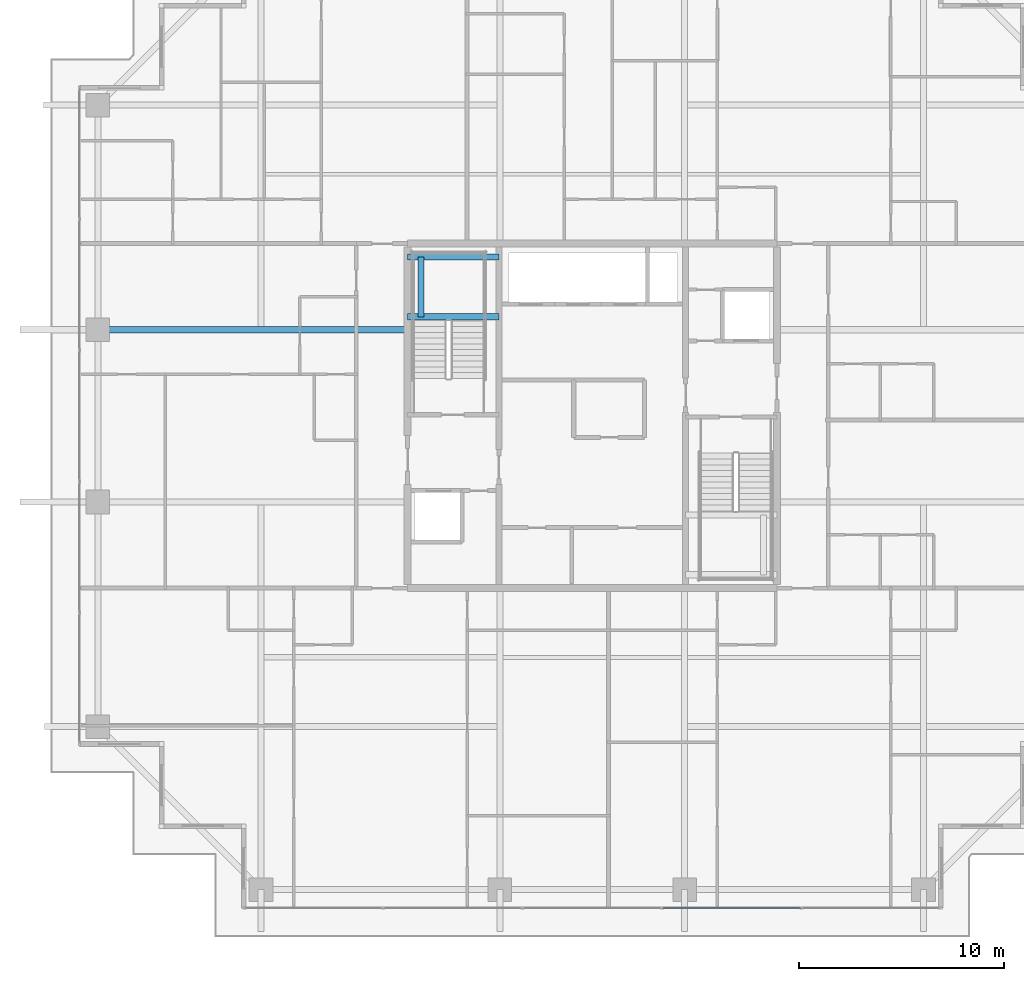
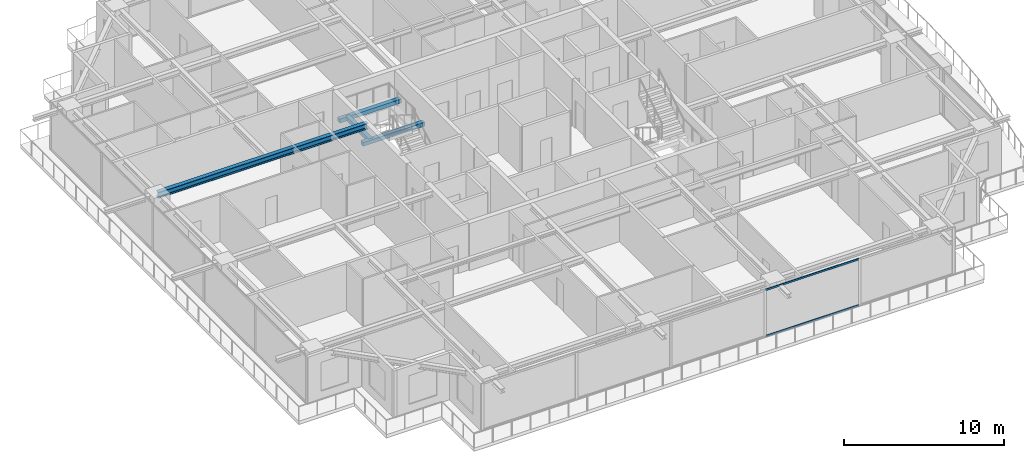
# One storey, part 10 of 37: 4 beams, 2 members, 1 element without a shape of its own.
"""IFC4 building model written with IfcOpenShell, lengths in metres."""

from ifc_helpers import new_model, si_unit, direction, frame, origin, origin_2d, place, context, subcontext, project, spatial, rectangle, hollow_rectangle, i_section, extrude, source, transform, mapped, material, layer, layer_set, material_profile, profile_set, type_object, element, aggregate, save


model = new_model("IFC4")

# Units and contexts
model_context = context("Model", 3, precision=1e-05, world=origin(), true_north=direction((0.0, 1.0)))
body_context = subcontext(model_context, "Body", "Model", "MODEL_VIEW")
ifc_project = project(units=[si_unit("LENGTHUNIT", "METRE"), si_unit("AREAUNIT", "SQUARE_METRE"), si_unit("VOLUMEUNIT", "CUBIC_METRE"), si_unit("PLANEANGLEUNIT", "RADIAN"), si_unit("MASSUNIT", "GRAM", prefix="KILO")], contexts=[model_context])

# Site, building, storey
site_placement = place(None, origin())
site = spatial("IfcSite", under=ifc_project, at=site_placement, CompositionType="ELEMENT")
building_placement = place(site_placement, origin())
building = spatial("IfcBuilding", under=site, at=building_placement, Name="Serunith Strait Residences", CompositionType="ELEMENT")
storey_placement = place(building_placement, frame((0.0, 0.0, 279.75)))
storey = spatial("IfcBuildingStorey", under=building, at=storey_placement, Name="L70", CompositionType="ELEMENT", Elevation=279.75)

# Beams
ifc_material_1 = material(Name="Steel S355J2", Category="steel")
ifc_material_profile_1 = material_profile(ifc_material_1, i_section(OverallWidth=0.300048828125, OverallDepth=0.449951171875, WebThickness=0.013916015625, FlangeThickness=0.02587890625, FilletRadius=0.027099609375, at=origin_2d()), Name="HEB 450")
ifc_profile_set_1 = profile_set([ifc_material_profile_1], Name="Steel S355J2")
beam_type_1 = type_object("IfcBeamType", Name="BM-HEB450", PredefinedType="BEAM", material=ifc_profile_set_1)
shared_shape_1 = source(origin(), body_context, "Body", "SweptSolid", [
    extrude(i_section(OverallWidth=0.300048828125, OverallDepth=0.449951171875, WebThickness=0.013916015625, FlangeThickness=0.02587890625, FilletRadius=0.027099609375, at=origin_2d()), origin(), (0.0, 0.0, 1.0), 15.099853515625),
])
beam_1_placement = place(storey_placement, frame((23.39990234375, 29.39990234375, 3.362060546875), z_axis=(-1.0, 0.0, 0.0), x_axis=(0.0, -1.0, 0.0)))
element("IfcBeam", 1, at=beam_1_placement, inside=storey, type_object=beam_type_1, Name="L70 Primary Floor Girder TC-W3", PredefinedType="BEAM", context=body_context, shape_type="MappedRepresentation", body=[
    mapped(shared_shape_1, transform((0.0, 0.0, 0.0), scale=1.0)),
])
ifc_material_2 = material(Name="Concrete C60/75", Category="concrete")
ifc_material_profile_2 = material_profile(ifc_material_2, rectangle(XDim=0.300048828125, YDim=0.300048828125, at=origin_2d()), Name="RC 300x300")
ifc_profile_set_2 = profile_set([ifc_material_profile_2], Name="Concrete C60/75")
beam_type_2 = type_object("IfcBeamType", Name="BM-LAND-300x300", PredefinedType="BEAM", material=ifc_profile_set_2)
shared_shape_2 = source(origin(), body_context, "Body", "SweptSolid", [
    extrude(rectangle(XDim=0.300048828125, YDim=0.300048828125, at=origin_2d()), origin(), (0.0, 0.0, 1.0), 4.4501953125),
])
for number, where, z_axis, x_axis, name in (
    (2, (23.39990234375, 30.030029296875, 1.574951171875), (1.0, 0.0, 0.0), (0.0, 1.0, 0.0), "L70 ST-1 Landing Support Beam 1"),
    (3, (23.39990234375, 32.949951171875, 1.574951171875), (1.0, 0.0, 0.0), (0.0, 1.0, 0.0), "L70 ST-1 Landing Support Beam 2"),
):
    element("IfcBeam", number, at=place(storey_placement, frame(where, z_axis=z_axis, x_axis=x_axis)), inside=storey, type_object=beam_type_2, Name=name, PredefinedType="BEAM", context=body_context, shape_type="MappedRepresentation", body=[
        mapped(shared_shape_2, transform((0.0, 0.0, 0.0), scale=1.0)),
    ])
shared_shape_3 = source(origin(), body_context, "Body", "SweptSolid", [
    extrude(rectangle(XDim=0.300048828125, YDim=0.300048828125, at=origin_2d()), origin(), (0.0, 0.0, 1.0), 2.919921875),
])
beam_2_placement = place(storey_placement, frame((24.050048828125, 30.030029296875, 1.574951171875), z_axis=(0.0, 1.0, 0.0), x_axis=(-1.0, 0.0, 0.0)))
element("IfcBeam", 4, at=beam_2_placement, inside=storey, type_object=beam_type_2, Name="L70 ST-1 Landing Transverse Tie Beam", PredefinedType="BEAM", context=body_context, shape_type="MappedRepresentation", body=[
    mapped(shared_shape_3, transform((0.0, 0.0, 0.0), scale=1.0)),
])

# Curtain wall, members
ifc_material_3 = material(Name="Pale-Champagne Anodised Aluminium", Category="aluminium")
ifc_layer = layer(ifc_material_3, 0.199951171875, Name="Pale-Champagne Anodised Aluminium")
ifc_layer_set = layer_set([ifc_layer], Name="Pale-Champagne Anodised Aluminium")
curtain_wall_type = type_object("IfcCurtainWallType", Name="CW-SYS4", PredefinedType="NOTDEFINED", material=ifc_layer_set)
curtain_wall_placement = place(storey_placement, origin())
curtain_wall = element("IfcCurtainWall", 5, at=curtain_wall_placement, inside=storey, type_object=curtain_wall_type, Name="L70 S Unitised Fritted Curtain Wall", PredefinedType="NOTDEFINED")
ifc_material_profile_3 = material_profile(ifc_material_3, hollow_rectangle(XDim=0.06005859375, YDim=0.139892578125, WallThickness=0.00341796875, InnerFilletRadius=0.00537109375, OuterFilletRadius=0.0087890625, at=origin_2d()), Name="ALU 140x60x3.5")
ifc_profile_set_3 = profile_set([ifc_material_profile_3], Name="Pale-Champagne Anodised Aluminium")
member_type = type_object("IfcMemberType", Name="CW-SYS4-TRAN", PredefinedType="USERDEFINED", material=ifc_profile_set_3)
shared_shape_4 = source(origin(), body_context, "Body", "SweptSolid", [
    extrude(hollow_rectangle(XDim=0.06005859375, YDim=0.139892578125, WallThickness=0.00341796875, InnerFilletRadius=0.00537109375, OuterFilletRadius=0.0087890625, at=origin_2d()), origin(), (0.0, 0.0, 1.0), 6.73486328125),
])
member_1_placement = place(storey_placement, frame((35.83251953125, 1.199951171875, 0.030029296875), z_axis=(1.0, 0.0, 0.0), x_axis=(0.0, 1.0, 0.0)))
member_1 = element("IfcMember", 6, at=member_1_placement, type_object=member_type, Name="CW-4 transom 4.1", ObjectType="TRANSOM", PredefinedType="USERDEFINED", context=body_context, shape_type="MappedRepresentation", body=[
    mapped(shared_shape_4, transform((0.0, 0.0, 0.0), scale=1.0)),
])
member_2_placement = place(storey_placement, frame((35.83251953125, 1.199951171875, 3.544921875), z_axis=(1.0, 0.0, 0.0), x_axis=(0.0, 1.0, 0.0)))
member_2 = element("IfcMember", 7, at=member_2_placement, type_object=member_type, Name="CW-4 transom 4.2", ObjectType="TRANSOM", PredefinedType="USERDEFINED", context=body_context, shape_type="MappedRepresentation", body=[
    mapped(shared_shape_4, transform((0.0, 0.0, 0.0), scale=1.0)),
])
aggregate(curtain_wall, [member_1, member_2])

save(model, "model.ifc")
